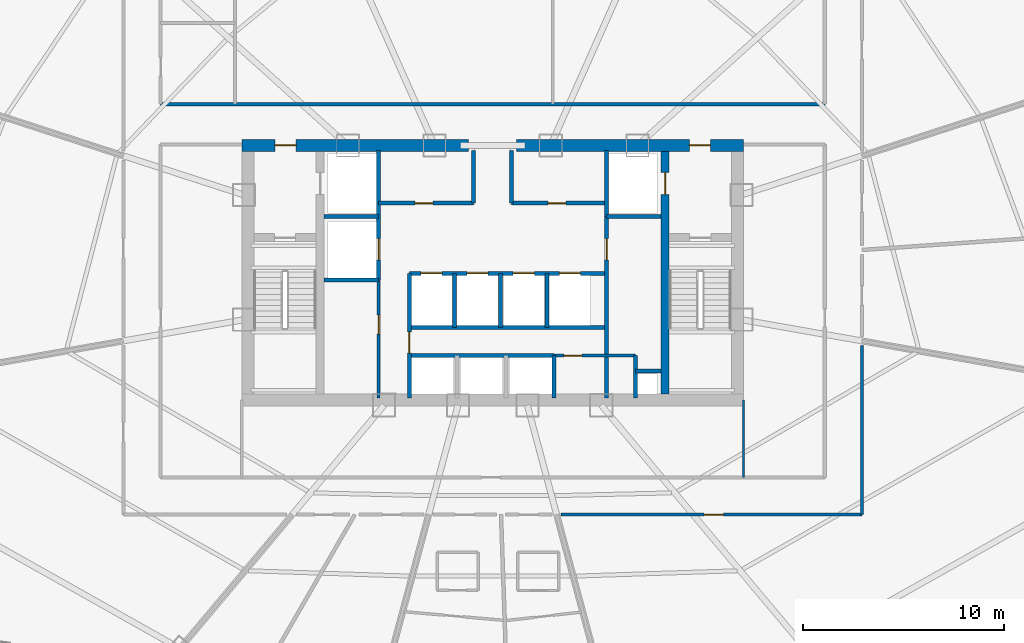
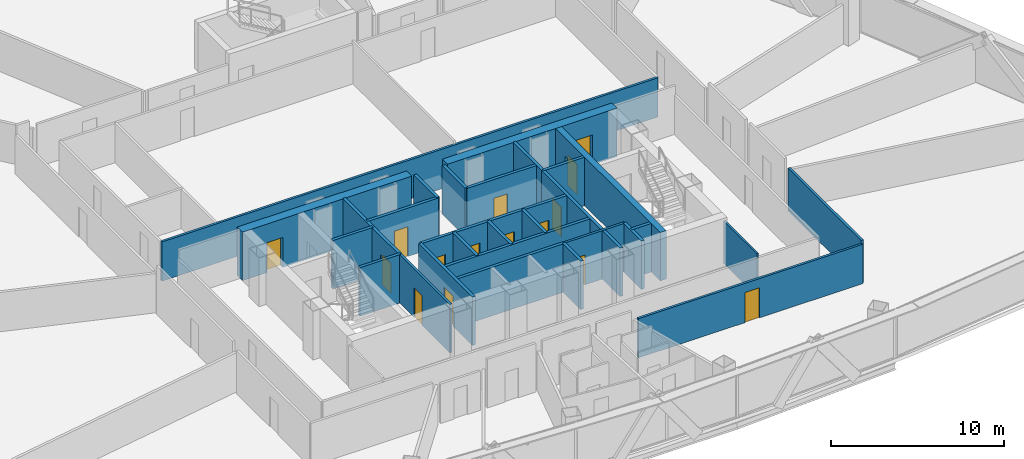
# One storey, part 33 of 39: 29 walls, 15 doors, 15 openings.
"""IFC4 building model written with IfcOpenShell, lengths in metres."""

import ifcopenshell
import ifcopenshell.guid

model = None  # the IFC model being written
_history = None  # IfcOwnerHistory: only IFC2X3 demands one
_inside = {}  # id of a spatial element -> (the spatial element, [elements in it])
_under = {}  # id of a project, library or spatial element -> (it, [spatial elements below it])
_declared = {}  # id of a project -> (the project, [libraries it declares])
_typed = {}  # id of a type object -> (the type object, [elements of that type])
_made_of = {}  # id of a material, layer set ... -> (it, [elements and type objects made of it])


def new_model(schema):
    """Start an empty IFC model of exactly this schema.

    Asked for "IFC4X3", IfcOpenShell would pick the latest addendum, in which some entities
    have other attributes; the version numbers below select the first issue.
    IFC2X3 requires an IfcOwnerHistory on every rooted entity: one is made here for all.
    """
    global model, _history
    if schema == "IFC4X3":
        model = ifcopenshell.file(schema_version=(4, 3, 0, 0))
    else:
        model = ifcopenshell.file(schema=schema)
    _inside.clear()
    _under.clear()
    _declared.clear()
    _typed.clear()
    _made_of.clear()
    _history = None
    if model.schema == "IFC2X3":
        org = make("IfcOrganization", Name="unknown")
        user = make(
            "IfcPersonAndOrganization",
            ThePerson=make("IfcPerson", FamilyName="unknown"),
            TheOrganization=org,
        )
        app = make(
            "IfcApplication",
            ApplicationDeveloper=org,
            Version="unknown",
            ApplicationFullName="unknown",
            ApplicationIdentifier="unknown",
        )
        _history = make(
            "IfcOwnerHistory",
            OwningUser=user,
            OwningApplication=app,
            ChangeAction="ADDED",
            CreationDate=0,
        )
    return model


def make(cls, **values):
    """One entity of the class cls with the attributes given. An attribute that is None is left unset."""
    return model.create_entity(
        cls, **{name: value for name, value in values.items() if value is not None}
    )


def rooted(cls, **values):
    """An entity with a GlobalId (a new one), such as an element, a storey or a relation."""
    return make(cls, GlobalId=ifcopenshell.guid.new(), OwnerHistory=_history, **values)


def si_unit(unit_type, name, prefix=None):
    """IfcSIUnit, for example si_unit("LENGTHUNIT", "METRE", prefix="MILLI")."""
    return make("IfcSIUnit", UnitType=unit_type, Prefix=prefix, Name=name)


def assignment(units):
    """IfcUnitAssignment: the units of a project."""
    return None if units is None else make("IfcUnitAssignment", Units=units)


def point(xyz):
    """IfcCartesianPoint."""
    return None if xyz is None else make("IfcCartesianPoint", Coordinates=xyz)


def direction(xyz):
    """IfcDirection."""
    return None if xyz is None else make("IfcDirection", DirectionRatios=xyz)


def frame(location, z_axis=None, x_axis=None):
    """IfcAxis2Placement3D, a coordinate frame: its origin and axes. An axis left out is left unset."""
    return make(
        "IfcAxis2Placement3D",
        Location=point(location),
        Axis=direction(z_axis),
        RefDirection=direction(x_axis),
    )


def frame_2d(location, x_axis=None):
    """IfcAxis2Placement2D, a coordinate frame in the plane: its origin and x axis."""
    return make(
        "IfcAxis2Placement2D", Location=point(location), RefDirection=direction(x_axis)
    )


def origin():
    """The frame at (0, 0, 0) with its axes left unset."""
    return frame((0.0, 0.0, 0.0))


def origin_with_axes():
    """The frame at (0, 0, 0) with the z axis (0, 0, 1) and the x axis (1, 0, 0) written out."""
    return frame((0.0, 0.0, 0.0), z_axis=(0.0, 0.0, 1.0), x_axis=(1.0, 0.0, 0.0))


def place(relative_to, where):
    """IfcLocalPlacement: puts the frame where relative to a parent placement (None: the world)."""
    return make(
        "IfcLocalPlacement", PlacementRelTo=relative_to, RelativePlacement=where
    )


def context(
    kind, dimensions, precision=None, world=None, true_north=None, identifier=None
):
    """IfcGeometricRepresentationContext, for example the 3D "Model" context."""
    return make(
        "IfcGeometricRepresentationContext",
        ContextIdentifier=identifier,
        ContextType=kind,
        CoordinateSpaceDimension=dimensions,
        Precision=precision,
        WorldCoordinateSystem=world,
        TrueNorth=true_north,
    )


def subcontext(parent, identifier, kind, view, scale=None):
    """IfcGeometricRepresentationSubContext, for example "Body" below "Model"."""
    return make(
        "IfcGeometricRepresentationSubContext",
        ContextIdentifier=identifier,
        ContextType=kind,
        ParentContext=parent,
        TargetScale=scale,
        TargetView=view,
    )


def project(units=None, contexts=None):
    """IfcProject with its units and contexts."""
    return rooted(
        "IfcProject",
        Name="project",
        RepresentationContexts=contexts,
        UnitsInContext=assignment(units),
    )


def spatial(cls, under=None, at=None, **own):
    """A site, building, storey or space (cls), placed at a placement, below another one or the project."""
    s = rooted(cls, ObjectPlacement=at, **own)
    if under is not None:
        _under.setdefault(under.id(), (under, []))[1].append(s)
    return s


def profile(cls, at=None, kind="AREA", **sizes):
    """A parametric profile (cls). Its sizes go by their IFC names, for example OverallWidth=200.0."""
    return make(cls, ProfileType=kind, Position=at, **sizes)


def rectangle(**sizes):
    """IfcRectangleProfileDef."""
    return profile("IfcRectangleProfileDef", **sizes)


def extrude(swept, where, along, depth):
    """IfcExtrudedAreaSolid: the profile swept, set in the frame where, extruded along a direction by depth."""
    return make(
        "IfcExtrudedAreaSolid",
        SweptArea=swept,
        Position=where,
        ExtrudedDirection=direction(along),
        Depth=depth,
    )


def shape(context_of_items, identifier, shape_type, items):
    """IfcShapeRepresentation: the items that make up one representation, for example the "Body"."""
    return make(
        "IfcShapeRepresentation",
        ContextOfItems=context_of_items,
        RepresentationIdentifier=identifier,
        RepresentationType=shape_type,
        Items=items,
    )


def source(mapping_origin, context_of_items, identifier, shape_type, items):
    """IfcRepresentationMap: a shape defined once, which mapped items show again and again."""
    return make(
        "IfcRepresentationMap",
        MappingOrigin=mapping_origin,
        MappedRepresentation=shape(context_of_items, identifier, shape_type, items),
    )


def transform(
    local_origin,
    x_axis=None,
    y_axis=None,
    z_axis=None,
    scale=None,
    scale2=None,
    scale3=None,
    uniform=True,
):
    """IfcCartesianTransformationOperator3D, or its non-uniform kind. x_axis, y_axis, z_axis: its Axis1, 2, 3."""
    if uniform:
        return make(
            "IfcCartesianTransformationOperator3D",
            Axis1=direction(x_axis),
            Axis2=direction(y_axis),
            LocalOrigin=point(local_origin),
            Scale=scale,
            Axis3=direction(z_axis),
        )
    return make(
        "IfcCartesianTransformationOperator3DnonUniform",
        Axis1=direction(x_axis),
        Axis2=direction(y_axis),
        LocalOrigin=point(local_origin),
        Scale=scale,
        Axis3=direction(z_axis),
        Scale2=scale2,
        Scale3=scale3,
    )


def mapped(mapping_source, mapping_target):
    """IfcMappedItem: shows the shape of a source again, moved by a transform."""
    return make(
        "IfcMappedItem", MappingSource=mapping_source, MappingTarget=mapping_target
    )


def material(Name=None, Category=None):
    """IfcMaterial."""
    return make("IfcMaterial", Name=Name, Category=Category)


def layer(
    of_material, thickness, ventilated=None, Name=None, Category=None, Priority=None
):
    """IfcMaterialLayer: one layer of a wall or slab, of a material (None: an air gap)."""
    return make(
        "IfcMaterialLayer",
        Material=of_material,
        LayerThickness=thickness,
        IsVentilated=ventilated,
        Name=Name,
        Category=Category,
        Priority=Priority,
    )


def layer_set(layers, Name=None):
    """IfcMaterialLayerSet."""
    return make("IfcMaterialLayerSet", MaterialLayers=layers, LayerSetName=Name)


def made_of(thing, what):
    """Note that an element or type object is made of a material, layer set ...; save() writes the relation."""
    if what is not None:
        _made_of.setdefault(what.id(), (what, []))[1].append(thing)
    return thing


def type_object(cls, material=None, **own):
    """A type object (cls), such as IfcWallType, which elements share."""
    return made_of(rooted(cls, **own), material)


def element(
    cls,
    number,
    at=None,
    inside=None,
    cuts=None,
    type_object=None,
    material=None,
    context=None,
    identifier="Body",
    shape_type=None,
    held_by="IfcProductDefinitionShape",
    body=None,
    shapes=None,
    **own,
):
    """One element of the class cls, such as IfcWall. Its Tag is "e" and its number.

    at: its placement. inside: the storey or other place that contains it. cuts: it is an
    opening in that element (IfcRelVoidsElement). A single representation is given by context,
    identifier, shape_type and body (its items); several are given by shapes. held_by: the class
    of the entity that holds the representations. save() writes the other relations.
    """
    e = rooted(cls, Tag="e%d" % number, ObjectPlacement=at, **own)
    if body is not None:
        shapes = [shape(context, identifier, shape_type, body)]
    if shapes is not None:
        e.Representation = make(held_by, Representations=shapes)
    if inside is not None:
        _inside.setdefault(inside.id(), (inside, []))[1].append(e)
    if cuts is not None:
        rooted(
            "IfcRelVoidsElement", RelatingBuildingElement=cuts, RelatedOpeningElement=e
        )
    if type_object is not None:
        _typed.setdefault(type_object.id(), (type_object, []))[1].append(e)
    return made_of(e, material)


def fill(opening, filler):
    """IfcRelFillsElement: the door or window that sits in an opening."""
    return rooted(
        "IfcRelFillsElement",
        RelatingOpeningElement=opening,
        RelatedBuildingElement=filler,
    )


def aggregate(whole, parts):
    """IfcRelAggregates: a whole, such as a stair, and the parts it consists of."""
    return rooted("IfcRelAggregates", RelatingObject=whole, RelatedObjects=parts)


def save(model, path):
    """Write the relations noted so far, then the file.

    IfcRelAggregates (storeys below a building ...), IfcRelContainedInSpatialStructure (elements
    in a storey), IfcRelDefinesByType, IfcRelAssociatesMaterial and IfcRelDeclares: one each for
    every whole, place, type object, material and project.
    """
    for whole, parts in _under.values():
        aggregate(whole, parts)
    for where, things in _inside.values():
        rooted(
            "IfcRelContainedInSpatialStructure",
            RelatedElements=things,
            RelatingStructure=where,
        )
    for kind, things in _typed.values():
        rooted("IfcRelDefinesByType", RelatedObjects=things, RelatingType=kind)
    for what, things in _made_of.values():
        rooted("IfcRelAssociatesMaterial", RelatedObjects=things, RelatingMaterial=what)
    for by, libraries in _declared.values():
        rooted("IfcRelDeclares", RelatingContext=by, RelatedDefinitions=libraries)
    model.write(path)


model = new_model("IFC4")

# Units and contexts
model_context = context("Model", 3, precision=1e-05, world=origin(), true_north=direction((0.0, 1.0)))
body_context = subcontext(model_context, "Body", "Model", "MODEL_VIEW")
ifc_project = project(units=[si_unit("LENGTHUNIT", "METRE"), si_unit("AREAUNIT", "SQUARE_METRE"), si_unit("VOLUMEUNIT", "CUBIC_METRE"), si_unit("PLANEANGLEUNIT", "RADIAN"), si_unit("MASSUNIT", "GRAM", prefix="KILO"), si_unit("THERMODYNAMICTEMPERATUREUNIT", "KELVIN"), si_unit("POWERUNIT", "WATT")], contexts=[model_context])

# Site, building, storey
site_placement = place(None, origin())
site = spatial("IfcSite", under=ifc_project, at=site_placement, CompositionType="ELEMENT")
building_placement = place(site_placement, origin())
building = spatial("IfcBuilding", under=site, at=building_placement, Name="Yunzhuo Pagoda Commons", CompositionType="ELEMENT")
storey_placement = place(building_placement, frame((0.0, 0.0, 162.949951171875)))
storey = spatial("IfcBuildingStorey", under=building, at=storey_placement, Name="L41", CompositionType="ELEMENT", Elevation=162.949951171875)

# Wall, opening, door
ifc_material_1 = material(Name="Concrete C60", Category="concrete")
ifc_layer_1 = layer(ifc_material_1, 0.60009765625)
ifc_layer_set_1 = layer_set([ifc_layer_1], Name="Concrete C60")
wall_type_1 = type_object("IfcWallType", Name="W-C02 Mid Core Shear Wall 600", PredefinedType="SHEAR", material=ifc_layer_set_1)
wall_1_placement = place(storey_placement, frame((35.5, 40.199951171875, 0.0), z_axis=(0.0, 0.0, 1.0), x_axis=(1.0, 0.0, 0.0)))
wall_1 = element("IfcWall", 1, at=wall_1_placement, inside=storey, type_object=wall_type_1, Name="L41 core shear wall NW", PredefinedType="SHEAR", context=body_context, shape_type="SweptSolid", body=[
    extrude(rectangle(XDim=11.300048828125, YDim=0.60009765625, at=frame_2d((5.64990234375, 0.0))), origin(), (0.0, 0.0, 1.0), 3.420166015625),
])
opening_1_placement = place(wall_1_placement, frame((1.64990234375, 0.0, 0.0)))
opening_1 = element("IfcOpeningElement", 2, at=opening_1_placement, cuts=wall_1, Name="Opening D-02", PredefinedType="OPENING", context=body_context, shape_type="SweptSolid", body=[
    extrude(rectangle(XDim=1.050048828125, YDim=2.10009765625, at=frame_2d((0.52490234375, 1.050048828125))), frame((0.0, 0.31005859375, 0.0), z_axis=(0.0, -1.0, 0.0), x_axis=(1.0, 0.0, 0.0)), (0.0, 0.0, 1.0), 0.6201171875),
])
ifc_material_2 = material(Name="Galvanized fire-resisting metal leaf")
door_type_1 = type_object("IfcDoorType", Name="D-02 Firefighting Lobby & Refuge Fire Door 1050x2100", OperationType="NOTDEFINED", PredefinedType="DOOR", material=ifc_material_2)
shared_shape_1 = source(origin(), body_context, "Body", "SweptSolid", [
    extrude(rectangle(XDim=1.050048828125, YDim=2.10009765625, at=frame_2d((0.52490234375, 1.050048828125))), frame((0.0, 0.02490234375, 0.0), z_axis=(0.0, -1.0, 0.0), x_axis=(1.0, 0.0, 0.0)), (0.0, 0.0, 1.0), 0.050048828125),
])
door_1_placement = place(opening_1_placement, frame((1.050048828125, 0.0, 0.0), z_axis=(0.0, 0.0, 1.0), x_axis=(-1.0, 0.0, 0.0)))
door_1 = element("IfcDoor", 3, at=door_1_placement, inside=storey, type_object=door_type_1, Name="L41 Firefighting Lobby 1 fire door", OperationType="SINGLE_SWING_LEFT", OverallHeight=2.10009765625, OverallWidth=1.050048828125, PredefinedType="DOOR", context=body_context, shape_type="MappedRepresentation", body=[
    mapped(shared_shape_1, transform((0.0, 0.0, 0.0), scale=1.0)),
])
fill(opening_1, door_1)

wall_2_placement = place(storey_placement, frame((49.199951171875, 40.199951171875, 0.0), z_axis=(0.0, 0.0, 1.0), x_axis=(1.0, 0.0, 0.0)))
wall_2 = element("IfcWall", 4, at=wall_2_placement, inside=storey, type_object=wall_type_1, Name="L41 core shear wall NE", PredefinedType="SHEAR", context=body_context, shape_type="SweptSolid", body=[
    extrude(rectangle(XDim=11.300048828125, YDim=0.60009765625, at=frame_2d((5.64990234375, 0.0))), origin(), (0.0, 0.0, 1.0), 3.420166015625),
])
opening_2_placement = place(wall_2_placement, frame((8.60009765625, 0.0, 0.0)))
opening_2 = element("IfcOpeningElement", 5, at=opening_2_placement, cuts=wall_2, Name="Opening D-02", PredefinedType="OPENING", context=body_context, shape_type="SweptSolid", body=[
    extrude(rectangle(XDim=1.050048828125, YDim=2.10009765625, at=frame_2d((0.52490234375, 1.050048828125))), frame((0.0, 0.31005859375, 0.0), z_axis=(0.0, -1.0, 0.0), x_axis=(1.0, 0.0, 0.0)), (0.0, 0.0, 1.0), 0.6201171875),
])
door_2_placement = place(opening_2_placement, frame((1.050048828125, 0.0, 0.0), z_axis=(0.0, 0.0, 1.0), x_axis=(-1.0, 0.0, 0.0)))
door_2 = element("IfcDoor", 6, at=door_2_placement, inside=storey, type_object=door_type_1, Name="L41 Firefighting Lobby 2 fire door", OperationType="SINGLE_SWING_RIGHT", OverallHeight=2.10009765625, OverallWidth=1.050048828125, PredefinedType="DOOR", context=body_context, shape_type="MappedRepresentation", body=[
    mapped(shared_shape_1, transform((0.0, 0.0, 0.0), scale=1.0)),
])
fill(opening_2, door_2)

ifc_material_3 = material(Name="Gypsum plasterboard on acoustic stud")
ifc_layer_2 = layer(ifc_material_3, 0.155029296875)
ifc_layer_set_2 = layer_set([ifc_layer_2], Name="Gypsum plasterboard on acoustic stud")
wall_type_2 = type_object("IfcWallType", Name="W-COR2 Mid-Zone Rated Corridor Wall 155", PredefinedType="PARTITIONING", material=ifc_layer_set_2)
wall_3_placement = place(storey_placement, frame((42.320068359375, 27.60009765625, 0.0), z_axis=(0.0, 0.0, 1.0), x_axis=(0.0, 1.0, 0.0)))
wall_3 = element("IfcWall", 7, at=wall_3_placement, inside=storey, type_object=wall_type_2, Name="L41 interior wall IW-L41-CSWE", PredefinedType="PARTITIONING", context=body_context, shape_type="SweptSolid", body=[
    extrude(rectangle(XDim=5.89990234375, YDim=0.155029296875, at=frame_2d((2.949951171875, 0.0))), origin(), (0.0, 0.0, 1.0), 3.420166015625),
])
opening_3_placement = place(wall_3_placement, frame((3.199951171875, 0.0, 0.0)))
opening_3 = element("IfcOpeningElement", 8, at=opening_3_placement, cuts=wall_3, Name="Opening D-11", PredefinedType="OPENING", context=body_context, shape_type="SweptSolid", body=[
    extrude(rectangle(XDim=0.93994140625, YDim=2.10009765625, at=frame_2d((0.469970703125, 1.050048828125))), frame((0.0, 0.08740234375, 0.0), z_axis=(0.0, -1.0, 0.0), x_axis=(1.0, 0.0, 0.0)), (0.0, 0.0, 1.0), 0.175048828125),
])
door_type_2 = type_object("IfcDoorType", Name="D-11 Accessible Washroom Fire Door 940x2100", OperationType="NOTDEFINED", PredefinedType="DOOR", material=ifc_material_2)
shared_shape_2 = source(origin(), body_context, "Body", "SweptSolid", [
    extrude(rectangle(XDim=0.93994140625, YDim=2.10009765625, at=frame_2d((0.469970703125, 1.050048828125))), frame((0.0, 0.02490234375, 0.0), z_axis=(0.0, -1.0, 0.0), x_axis=(1.0, 0.0, 0.0)), (0.0, 0.0, 1.0), 0.050048828125),
])
door_3_placement = place(opening_3_placement, origin_with_axes())
door_3 = element("IfcDoor", 9, at=door_3_placement, inside=storey, type_object=door_type_2, Name="L41 core WC door", OperationType="SINGLE_SWING_LEFT", OverallHeight=2.10009765625, OverallWidth=0.93994140625, PredefinedType="DOOR", context=body_context, shape_type="MappedRepresentation", body=[
    mapped(shared_shape_2, transform((0.0, 0.0, 0.0), scale=1.0)),
])
fill(opening_3, door_3)

wall_4_placement = place(storey_placement, frame((51.050048828125, 29.719970703125, 0.0), z_axis=(0.0, 0.0, 1.0), x_axis=(1.0, 0.0, 0.0)))
wall_4 = element("IfcWall", 10, at=wall_4_placement, inside=storey, type_object=wall_type_2, Name="L41 interior wall IW-L41-CSES", PredefinedType="PARTITIONING", context=body_context, shape_type="SweptSolid", body=[
    extrude(rectangle(XDim=4.070068359375, YDim=0.155029296875, at=frame_2d((2.03515625, 0.0))), origin(), (0.0, 0.0, 1.0), 3.420166015625),
])
opening_4_placement = place(wall_4_placement, frame((0.5, 0.0, 0.0)))
opening_4 = element("IfcOpeningElement", 11, at=opening_4_placement, cuts=wall_4, Name="Opening D-03", PredefinedType="OPENING", context=body_context, shape_type="SweptSolid", body=[
    extrude(rectangle(XDim=0.89990234375, YDim=2.10009765625, at=frame_2d((0.449951171875, 1.050048828125))), frame((0.0, 0.08740234375, 0.0), z_axis=(0.0, -1.0, 0.0), x_axis=(1.0, 0.0, 0.0)), (0.0, 0.0, 1.0), 0.175048828125),
])
door_type_3 = type_object("IfcDoorType", Name="D-03 Core Service Fire Door 900x2100", OperationType="NOTDEFINED", PredefinedType="DOOR", material=ifc_material_2)
shared_shape_3 = source(origin(), body_context, "Body", "SweptSolid", [
    extrude(rectangle(XDim=0.89990234375, YDim=2.10009765625, at=frame_2d((0.449951171875, 1.050048828125))), frame((0.0, 0.02490234375, 0.0), z_axis=(0.0, -1.0, 0.0), x_axis=(1.0, 0.0, 0.0)), (0.0, 0.0, 1.0), 0.050048828125),
])
door_4_placement = place(opening_4_placement, origin_with_axes())
door_4 = element("IfcDoor", 12, at=door_4_placement, inside=storey, type_object=door_type_3, Name="L41 cleaner store door", OperationType="SINGLE_SWING_LEFT", OverallHeight=2.10009765625, OverallWidth=0.89990234375, PredefinedType="DOOR", context=body_context, shape_type="MappedRepresentation", body=[
    mapped(shared_shape_3, transform((0.0, 0.0, 0.0), scale=1.0)),
])
fill(opening_4, door_4)

# Walls
wall_5_placement = place(storey_placement, frame((31.449951171875, 42.25, 0.0), z_axis=(0.0, 0.0, 1.0), x_axis=(1.0, 0.0, 0.0)))
element("IfcWall", 13, at=wall_5_placement, inside=storey, type_object=wall_type_2, Name="L41 interior wall IW-L41-MCNS", PredefinedType="PARTITIONING", context=body_context, shape_type="SweptSolid", body=[
    extrude(rectangle(XDim=33.10009765625, YDim=0.155029296875, at=frame_2d((16.550048828125, 0.0))), origin(), (0.0, 0.0, 1.0), 2.77001953125),
])
wall_6_placement = place(storey_placement, frame((66.39990234375, 30.232177734375, 0.0), z_axis=(0.0, 0.0, 1.0), x_axis=(0.0, -1.0, 0.0)))
element("IfcWall", 14, at=wall_6_placement, inside=storey, type_object=wall_type_2, Name="L41 interior wall IW-L41-CWL14", PredefinedType="PARTITIONING", context=body_context, shape_type="SweptSolid", body=[
    extrude(rectangle(XDim=8.43212890625, YDim=0.155029296875, at=frame_2d((4.216064453125, 0.0))), origin(), (0.0, 0.0, 1.0), 3.02001953125),
])

# Wall, opening, door
wall_7_placement = place(storey_placement, frame((66.39990234375, 21.800048828125, 0.0), z_axis=(0.0, 0.0, 1.0), x_axis=(-1.0, 0.0, 0.0)))
wall_7 = element("IfcWall", 15, at=wall_7_placement, inside=storey, type_object=wall_type_2, Name="L41 interior wall IW-L41-CWL15", PredefinedType="PARTITIONING", context=body_context, shape_type="SweptSolid", body=[
    extrude(rectangle(XDim=14.9833984375, YDim=0.155029296875, at=frame_2d((7.49169921875, 0.0))), origin(), (0.0, 0.0, 1.0), 2.77001953125),
])
opening_5_placement = place(wall_7_placement, frame((6.900634765625, 0.0, 0.0)))
opening_5 = element("IfcOpeningElement", 16, at=opening_5_placement, cuts=wall_7, Name="Opening D-07", PredefinedType="OPENING", context=body_context, shape_type="SweptSolid", body=[
    extrude(rectangle(XDim=0.9599609375, YDim=2.1201171875, at=frame_2d((0.47998046875, 1.06005859375))), frame((0.0, 0.08740234375, 0.0), z_axis=(0.0, -1.0, 0.0), x_axis=(1.0, 0.0, 0.0)), (0.0, 0.0, 1.0), 0.175048828125),
])
door_type_4 = type_object("IfcDoorType", Name="D-07 Mid-Zone Suite Entrance Fire Door 960x2120", OperationType="NOTDEFINED", PredefinedType="DOOR", material=ifc_material_2)
shared_shape_4 = source(origin(), body_context, "Body", "SweptSolid", [
    extrude(rectangle(XDim=0.9599609375, YDim=2.1201171875, at=frame_2d((0.47998046875, 1.06005859375))), frame((0.0, 0.02490234375, 0.0), z_axis=(0.0, -1.0, 0.0), x_axis=(1.0, 0.0, 0.0)), (0.0, 0.0, 1.0), 0.050048828125),
])
door_5_placement = place(opening_5_placement, origin_with_axes())
door_5 = element("IfcDoor", 17, at=door_5_placement, inside=storey, type_object=door_type_4, Name="L41 Resident Co-Living Commons Hall door", OperationType="SINGLE_SWING_LEFT", OverallHeight=2.1201171875, OverallWidth=0.9599609375, PredefinedType="DOOR", context=body_context, shape_type="MappedRepresentation", body=[
    mapped(shared_shape_4, transform((0.0, 0.0, 0.0), scale=1.0)),
])
fill(opening_5, door_5)

# Wall
ifc_layer_3 = layer(ifc_material_3, 0.1201171875)
ifc_layer_set_3 = layer_set([ifc_layer_3], Name="Gypsum plasterboard on acoustic stud")
wall_type_3 = type_object("IfcWallType", Name="W-PRT1 Suite & Bathroom Partition 120", PredefinedType="PARTITIONING", material=ifc_layer_set_3)
wall_8_placement = place(storey_placement, frame((60.5, 23.64990234375, 0.0), z_axis=(0.0, 0.0, 1.0), x_axis=(0.0, 1.0, 0.0)))
element("IfcWall", 18, at=wall_8_placement, inside=storey, type_object=wall_type_3, Name="L41 interior wall IW-L41-SFLD2", PredefinedType="PARTITIONING", context=body_context, shape_type="SweptSolid", body=[
    extrude(rectangle(XDim=3.85009765625, YDim=0.1201171875, at=frame_2d((1.925048828125, 0.0))), origin(), (0.0, 0.0, 1.0), 3.02001953125),
])

# Wall, opening, door
ifc_layer_4 = layer(ifc_material_1, 0.39990234375)
ifc_layer_set_4 = layer_set([ifc_layer_4], Name="Concrete C60")
wall_type_4 = type_object("IfcWallType", Name="W-S01 Internal Core Shear Web 400", PredefinedType="SHEAR", material=ifc_layer_set_4)
wall_9_placement = place(storey_placement, frame((56.60009765625, 27.800048828125, 0.0), z_axis=(0.0, 0.0, 1.0), x_axis=(0.0, 1.0, 0.0)))
wall_9 = element("IfcWall", 19, at=wall_9_placement, inside=storey, type_object=wall_type_4, Name="L41 core shear wall WEBE", PredefinedType="SHEAR", context=body_context, shape_type="SweptSolid", body=[
    extrude(rectangle(XDim=12.099853515625, YDim=0.39990234375, at=frame_2d((6.0498046875, 0.0))), origin(), (0.0, 0.0, 1.0), 3.420166015625),
])
opening_6_placement = place(wall_9_placement, frame((9.949951171875, 0.0, 0.0)))
opening_6 = element("IfcOpeningElement", 20, at=opening_6_placement, cuts=wall_9, Name="Opening LD-01", PredefinedType="OPENING", context=body_context, shape_type="SweptSolid", body=[
    extrude(rectangle(XDim=1.10009765625, YDim=2.10009765625, at=frame_2d((0.550048828125, 1.050048828125))), frame((0.0, 0.2099609375, 0.0), z_axis=(0.0, -1.0, 0.0), x_axis=(1.0, 0.0, 0.0)), (0.0, 0.0, 1.0), 0.419921875),
])
door_type_5 = type_object("IfcDoorType", Name="LD-01 Firefighting Lift Landing Door 1100x2100", OperationType="DOUBLE_DOOR_SLIDING", PredefinedType="DOOR", material=ifc_material_2)
shared_shape_5 = source(origin(), body_context, "Body", "SweptSolid", [
    extrude(rectangle(XDim=1.10009765625, YDim=2.10009765625, at=frame_2d((0.550048828125, 1.050048828125))), frame((0.0, 0.02490234375, 0.0), z_axis=(0.0, -1.0, 0.0), x_axis=(1.0, 0.0, 0.0)), (0.0, 0.0, 1.0), 0.050048828125),
])
door_6_placement = place(opening_6_placement, origin_with_axes())
door_6 = element("IfcDoor", 21, at=door_6_placement, inside=storey, type_object=door_type_5, Name="L41 Firefighting lift FL-2 landing door", OperationType="DOUBLE_DOOR_SLIDING", OverallHeight=2.10009765625, OverallWidth=1.10009765625, PredefinedType="DOOR", context=body_context, shape_type="MappedRepresentation", body=[
    mapped(shared_shape_5, transform((0.0, 0.0, 0.0), scale=1.0)),
])
fill(opening_6, door_6)

ifc_material_4 = material(Name="Concrete C40", Category="concrete")
ifc_layer_5 = layer(ifc_material_4, 0.199951171875)
ifc_layer_set_5 = layer_set([ifc_layer_5], Name="Concrete C40")
wall_type_5 = type_object("IfcWallType", Name="W-SHF Shaft & Stair Enclosure Wall 200", PredefinedType="SOLIDWALL", material=ifc_layer_set_5)
wall_10_placement = place(storey_placement, frame((42.320068359375, 33.5, 0.0), z_axis=(0.0, 0.0, 1.0), x_axis=(0.0, 1.0, 0.0)))
wall_10 = element("IfcWall", 22, at=wall_10_placement, inside=storey, type_object=wall_type_5, Name="L41 interior wall IW-L41-FL1E", PredefinedType="SOLIDWALL", context=body_context, shape_type="SweptSolid", body=[
    extrude(rectangle(XDim=6.449951171875, YDim=0.199951171875, at=frame_2d((3.22509765625, 0.0))), origin(), (0.0, 0.0, 1.0), 3.420166015625),
])
opening_7_placement = place(wall_10_placement, frame((1.0, 0.0, 0.0)))
opening_7 = element("IfcOpeningElement", 23, at=opening_7_placement, cuts=wall_10, Name="Opening LD-02", PredefinedType="OPENING", context=body_context, shape_type="SweptSolid", body=[
    extrude(rectangle(XDim=1.050048828125, YDim=2.10009765625, at=frame_2d((0.52490234375, 1.050048828125))), frame((0.0, 0.10986328125, 0.0), z_axis=(0.0, -1.0, 0.0), x_axis=(1.0, 0.0, 0.0)), (0.0, 0.0, 1.0), 0.219970703125),
])
door_type_6 = type_object("IfcDoorType", Name="LD-02 Passenger Lift Landing Door 1050x2100", OperationType="DOUBLE_DOOR_SLIDING", PredefinedType="DOOR", material=ifc_material_2)
door_7_placement = place(opening_7_placement, origin_with_axes())
door_7 = element("IfcDoor", 24, at=door_7_placement, inside=storey, type_object=door_type_6, Name="L41 Service lift SL-1 landing door", OperationType="DOUBLE_DOOR_SLIDING", OverallHeight=2.10009765625, OverallWidth=1.050048828125, PredefinedType="DOOR", context=body_context, shape_type="MappedRepresentation", body=[
    mapped(shared_shape_1, transform((0.0, 0.0, 0.0), scale=1.0)),
])
fill(opening_7, door_7)

# Walls
for number, where, z_axis, x_axis, name in (
    (25, (39.60009765625, 36.64990234375, 0.0), (0.0, 0.0, 1.0), (1.0, 0.0, 0.0), "L41 interior wall IW-L41-FL1S"),
    (26, (39.60009765625, 33.5, 0.0), (0.0, 0.0, 1.0), (1.0, 0.0, 0.0), "L41 interior wall IW-L41-SL1S"),
):
    element("IfcWall", number, at=place(storey_placement, frame(where, z_axis=z_axis, x_axis=x_axis)), inside=storey, type_object=wall_type_5, Name=name, PredefinedType="SOLIDWALL", context=body_context, shape_type="SweptSolid", body=[
        extrude(rectangle(XDim=2.719970703125, YDim=0.199951171875, at=frame_2d((1.35986328125, 0.0))), origin(), (0.0, 0.0, 1.0), 3.420166015625),
    ])
wall_11_placement = place(storey_placement, frame((53.679931640625, 36.64990234375, 0.0), z_axis=(0.0, 0.0, 1.0), x_axis=(0.0, 1.0, 0.0)))
element("IfcWall", 27, at=wall_11_placement, inside=storey, type_object=wall_type_5, Name="L41 interior wall IW-L41-FL2W", PredefinedType="SOLIDWALL", context=body_context, shape_type="SweptSolid", body=[
    extrude(rectangle(XDim=3.300048828125, YDim=0.199951171875, at=frame_2d((1.64990234375, 0.0))), origin(), (0.0, 0.0, 1.0), 3.420166015625),
])
wall_12_placement = place(storey_placement, frame((53.679931640625, 36.64990234375, 0.0), z_axis=(0.0, 0.0, 1.0), x_axis=(1.0, 0.0, 0.0)))
element("IfcWall", 28, at=wall_12_placement, inside=storey, type_object=wall_type_5, Name="L41 interior wall IW-L41-FL2S", PredefinedType="SOLIDWALL", context=body_context, shape_type="SweptSolid", body=[
    extrude(rectangle(XDim=2.719970703125, YDim=0.199951171875, at=frame_2d((1.35986328125, 0.0))), origin(), (0.0, 0.0, 1.0), 3.420166015625),
])

# Wall, opening, door
wall_13_placement = place(storey_placement, frame((42.320068359375, 37.320068359375, 0.0), z_axis=(0.0, 0.0, 1.0), x_axis=(1.0, 0.0, 0.0)))
wall_13 = element("IfcWall", 29, at=wall_13_placement, inside=storey, type_object=wall_type_5, Name="L41 interior wall IW-L41-LBNW", PredefinedType="SOLIDWALL", context=body_context, shape_type="SweptSolid", body=[
    extrude(rectangle(XDim=4.72998046875, YDim=0.199951171875, at=frame_2d((2.364990234375, 0.0))), origin(), (0.0, 0.0, 1.0), 3.420166015625),
])
opening_8_placement = place(wall_13_placement, frame((1.800048828125, 0.0, 0.0)))
opening_8 = element("IfcOpeningElement", 30, at=opening_8_placement, cuts=wall_13, Name="Opening D-03", PredefinedType="OPENING", context=body_context, shape_type="SweptSolid", body=[
    extrude(rectangle(XDim=0.89990234375, YDim=2.10009765625, at=frame_2d((0.449951171875, 1.050048828125))), frame((0.0, 0.10986328125, 0.0), z_axis=(0.0, -1.0, 0.0), x_axis=(1.0, 0.0, 0.0)), (0.0, 0.0, 1.0), 0.219970703125),
])
door_8_placement = place(opening_8_placement, frame((0.89990234375, 0.0, 0.0), z_axis=(0.0, 0.0, 1.0), x_axis=(-1.0, 0.0, 0.0)))
door_8 = element("IfcDoor", 31, at=door_8_placement, inside=storey, type_object=door_type_3, Name="L41 core west store door", OperationType="SINGLE_SWING_LEFT", OverallHeight=2.10009765625, OverallWidth=0.89990234375, PredefinedType="DOOR", context=body_context, shape_type="MappedRepresentation", body=[
    mapped(shared_shape_3, transform((0.0, 0.0, 0.0), scale=1.0)),
])
fill(opening_8, door_8)

wall_14_placement = place(storey_placement, frame((48.949951171875, 37.320068359375, 0.0), z_axis=(0.0, 0.0, 1.0), x_axis=(1.0, 0.0, 0.0)))
wall_14 = element("IfcWall", 32, at=wall_14_placement, inside=storey, type_object=wall_type_5, Name="L41 interior wall IW-L41-LBNE", PredefinedType="SOLIDWALL", context=body_context, shape_type="SweptSolid", body=[
    extrude(rectangle(XDim=4.72998046875, YDim=0.199951171875, at=frame_2d((2.364990234375, 0.0))), origin(), (0.0, 0.0, 1.0), 3.420166015625),
])
opening_9_placement = place(wall_14_placement, frame((1.800048828125, 0.0, 0.0)))
opening_9 = element("IfcOpeningElement", 33, at=opening_9_placement, cuts=wall_14, Name="Opening D-03", PredefinedType="OPENING", context=body_context, shape_type="SweptSolid", body=[
    extrude(rectangle(XDim=0.89990234375, YDim=2.10009765625, at=frame_2d((0.449951171875, 1.050048828125))), frame((0.0, 0.10986328125, 0.0), z_axis=(0.0, -1.0, 0.0), x_axis=(1.0, 0.0, 0.0)), (0.0, 0.0, 1.0), 0.219970703125),
])
door_9_placement = place(opening_9_placement, frame((0.89990234375, 0.0, 0.0), z_axis=(0.0, 0.0, 1.0), x_axis=(-1.0, 0.0, 0.0)))
door_9 = element("IfcDoor", 34, at=door_9_placement, inside=storey, type_object=door_type_3, Name="L41 core east store door", OperationType="SINGLE_SWING_RIGHT", OverallHeight=2.10009765625, OverallWidth=0.89990234375, PredefinedType="DOOR", context=body_context, shape_type="MappedRepresentation", body=[
    mapped(shared_shape_3, transform((0.0, 0.0, 0.0), scale=1.0)),
])
fill(opening_9, door_9)

# Walls
for number, where, z_axis, x_axis, name in (
    (35, (47.050048828125, 37.320068359375, 0.0), (0.0, 0.0, 1.0), (0.0, 1.0, 0.0), "L41 interior wall IW-L41-THRW"),
    (36, (48.949951171875, 37.320068359375, 0.0), (0.0, 0.0, 1.0), (0.0, 1.0, 0.0), "L41 interior wall IW-L41-THRE"),
):
    element("IfcWall", number, at=place(storey_placement, frame(where, z_axis=z_axis, x_axis=x_axis)), inside=storey, type_object=wall_type_5, Name=name, PredefinedType="SOLIDWALL", context=body_context, shape_type="SweptSolid", body=[
        extrude(rectangle(XDim=2.6298828125, YDim=0.199951171875, at=frame_2d((1.31494140625, 0.0))), origin(), (0.0, 0.0, 1.0), 3.420166015625),
    ])

# Wall, openings, doors
wall_15_placement = place(storey_placement, frame((43.85009765625, 33.820068359375, 0.0), z_axis=(0.0, 0.0, 1.0), x_axis=(1.0, 0.0, 0.0)))
wall_15 = element("IfcWall", 37, at=wall_15_placement, inside=storey, type_object=wall_type_5, Name="L41 interior wall IW-L41-MLBS", PredefinedType="SOLIDWALL", context=body_context, shape_type="SweptSolid", body=[
    extrude(rectangle(XDim=9.829833984375, YDim=0.199951171875, at=frame_2d((4.9150390625, 0.0))), origin(), (0.0, 0.0, 1.0), 3.420166015625),
])
opening_10_placement = place(wall_15_placement, frame((0.574951171875, 0.0, 0.0)))
opening_10 = element("IfcOpeningElement", 38, at=opening_10_placement, cuts=wall_15, Name="Opening LD-02", PredefinedType="OPENING", context=body_context, shape_type="SweptSolid", body=[
    extrude(rectangle(XDim=1.050048828125, YDim=2.10009765625, at=frame_2d((0.52490234375, 1.050048828125))), frame((0.0, 0.10986328125, 0.0), z_axis=(0.0, -1.0, 0.0), x_axis=(1.0, 0.0, 0.0)), (0.0, 0.0, 1.0), 0.219970703125),
])
opening_11_placement = place(wall_15_placement, frame((2.875, 0.0, 0.0)))
opening_11 = element("IfcOpeningElement", 39, at=opening_11_placement, cuts=wall_15, Name="Opening LD-02", PredefinedType="OPENING", context=body_context, shape_type="SweptSolid", body=[
    extrude(rectangle(XDim=1.050048828125, YDim=2.10009765625, at=frame_2d((0.52490234375, 1.050048828125))), frame((0.0, 0.10986328125, 0.0), z_axis=(0.0, -1.0, 0.0), x_axis=(1.0, 0.0, 0.0)), (0.0, 0.0, 1.0), 0.219970703125),
])
opening_12_placement = place(wall_15_placement, frame((5.175048828125, 0.0, 0.0)))
opening_12 = element("IfcOpeningElement", 40, at=opening_12_placement, cuts=wall_15, Name="Opening LD-02", PredefinedType="OPENING", context=body_context, shape_type="SweptSolid", body=[
    extrude(rectangle(XDim=1.050048828125, YDim=2.10009765625, at=frame_2d((0.52490234375, 1.050048828125))), frame((0.0, 0.10986328125, 0.0), z_axis=(0.0, -1.0, 0.0), x_axis=(1.0, 0.0, 0.0)), (0.0, 0.0, 1.0), 0.219970703125),
])
opening_13_placement = place(wall_15_placement, frame((7.47509765625, 0.0, 0.0)))
opening_13 = element("IfcOpeningElement", 41, at=opening_13_placement, cuts=wall_15, Name="Opening LD-02", PredefinedType="OPENING", context=body_context, shape_type="SweptSolid", body=[
    extrude(rectangle(XDim=1.050048828125, YDim=2.10009765625, at=frame_2d((0.52490234375, 1.050048828125))), frame((0.0, 0.10986328125, 0.0), z_axis=(0.0, -1.0, 0.0), x_axis=(1.0, 0.0, 0.0)), (0.0, 0.0, 1.0), 0.219970703125),
])
door_10_placement = place(opening_10_placement, origin_with_axes())
door_10 = element("IfcDoor", 42, at=door_10_placement, inside=storey, type_object=door_type_6, Name="L41 Passenger lift PL-M1 landing door", OperationType="DOUBLE_DOOR_SLIDING", OverallHeight=2.10009765625, OverallWidth=1.050048828125, PredefinedType="DOOR", context=body_context, shape_type="MappedRepresentation", body=[
    mapped(shared_shape_1, transform((0.0, 0.0, 0.0), scale=1.0)),
])
fill(opening_10, door_10)
door_11_placement = place(opening_11_placement, origin_with_axes())
door_11 = element("IfcDoor", 43, at=door_11_placement, inside=storey, type_object=door_type_6, Name="L41 Passenger lift PL-M2 landing door", OperationType="DOUBLE_DOOR_SLIDING", OverallHeight=2.10009765625, OverallWidth=1.050048828125, PredefinedType="DOOR", context=body_context, shape_type="MappedRepresentation", body=[
    mapped(shared_shape_1, transform((0.0, 0.0, 0.0), scale=1.0)),
])
fill(opening_11, door_11)
door_12_placement = place(opening_12_placement, origin_with_axes())
door_12 = element("IfcDoor", 44, at=door_12_placement, inside=storey, type_object=door_type_6, Name="L41 Passenger lift PL-M3 landing door", OperationType="DOUBLE_DOOR_SLIDING", OverallHeight=2.10009765625, OverallWidth=1.050048828125, PredefinedType="DOOR", context=body_context, shape_type="MappedRepresentation", body=[
    mapped(shared_shape_1, transform((0.0, 0.0, 0.0), scale=1.0)),
])
fill(opening_12, door_12)
door_13_placement = place(opening_13_placement, origin_with_axes())
door_13 = element("IfcDoor", 45, at=door_13_placement, inside=storey, type_object=door_type_6, Name="L41 Passenger lift PL-M4 landing door", OperationType="DOUBLE_DOOR_SLIDING", OverallHeight=2.10009765625, OverallWidth=1.050048828125, PredefinedType="DOOR", context=body_context, shape_type="MappedRepresentation", body=[
    mapped(shared_shape_1, transform((0.0, 0.0, 0.0), scale=1.0)),
])
fill(opening_13, door_13)

# Wall, opening, door
wall_16_placement = place(storey_placement, frame((43.85009765625, 27.60009765625, 0.0), z_axis=(0.0, 0.0, 1.0), x_axis=(0.0, 1.0, 0.0)))
wall_16 = element("IfcWall", 46, at=wall_16_placement, inside=storey, type_object=wall_type_5, Name="L41 interior wall IW-L41-PLMW", PredefinedType="SOLIDWALL", context=body_context, shape_type="SweptSolid", body=[
    extrude(rectangle(XDim=6.219970703125, YDim=0.199951171875, at=frame_2d((3.10986328125, 0.0))), origin(), (0.0, 0.0, 1.0), 3.420166015625),
])
opening_14_placement = place(wall_16_placement, frame((2.25, 0.0, 0.0)))
opening_14 = element("IfcOpeningElement", 47, at=opening_14_placement, cuts=wall_16, Name="Opening D-02", PredefinedType="OPENING", context=body_context, shape_type="SweptSolid", body=[
    extrude(rectangle(XDim=1.050048828125, YDim=2.10009765625, at=frame_2d((0.52490234375, 1.050048828125))), frame((0.0, 0.10986328125, 0.0), z_axis=(0.0, -1.0, 0.0), x_axis=(1.0, 0.0, 0.0)), (0.0, 0.0, 1.0), 0.219970703125),
])
door_14_placement = place(opening_14_placement, frame((1.050048828125, 0.0, 0.0), z_axis=(0.0, 0.0, 1.0), x_axis=(-1.0, 0.0, 0.0)))
door_14 = element("IfcDoor", 48, at=door_14_placement, inside=storey, type_object=door_type_1, Name="L41 High-bank hall west door", OperationType="SINGLE_SWING_LEFT", OverallHeight=2.10009765625, OverallWidth=1.050048828125, PredefinedType="DOOR", context=body_context, shape_type="MappedRepresentation", body=[
    mapped(shared_shape_1, transform((0.0, 0.0, 0.0), scale=1.0)),
])
fill(opening_14, door_14)

wall_17_placement = place(storey_placement, frame((53.679931640625, 27.60009765625, 0.0), z_axis=(0.0, 0.0, 1.0), x_axis=(0.0, 1.0, 0.0)))
wall_17 = element("IfcWall", 49, at=wall_17_placement, inside=storey, type_object=wall_type_5, Name="L41 interior wall IW-L41-PLME", PredefinedType="SOLIDWALL", context=body_context, shape_type="SweptSolid", body=[
    extrude(rectangle(XDim=9.0498046875, YDim=0.199951171875, at=frame_2d((4.52490234375, 0.0))), origin(), (0.0, 0.0, 1.0), 3.420166015625),
])
opening_15_placement = place(wall_17_placement, frame((6.89990234375, 0.0, 0.0)))
opening_15 = element("IfcOpeningElement", 50, at=opening_15_placement, cuts=wall_17, Name="Opening D-02", PredefinedType="OPENING", context=body_context, shape_type="SweptSolid", body=[
    extrude(rectangle(XDim=1.050048828125, YDim=2.10009765625, at=frame_2d((0.52490234375, 1.050048828125))), frame((0.0, 0.10986328125, 0.0), z_axis=(0.0, -1.0, 0.0), x_axis=(1.0, 0.0, 0.0)), (0.0, 0.0, 1.0), 0.219970703125),
])
door_15_placement = place(opening_15_placement, origin_with_axes())
door_15 = element("IfcDoor", 51, at=door_15_placement, inside=storey, type_object=door_type_1, Name="L41 High-bank lift hall door", OperationType="SINGLE_SWING_RIGHT", OverallHeight=2.10009765625, OverallWidth=1.050048828125, PredefinedType="DOOR", context=body_context, shape_type="MappedRepresentation", body=[
    mapped(shared_shape_1, transform((0.0, 0.0, 0.0), scale=1.0)),
])
fill(opening_15, door_15)

# Walls
for number, where, z_axis, x_axis, name in (
    (52, (46.10009765625, 31.1201171875, 0.0), (0.0, 0.0, 1.0), (0.0, 1.0, 0.0), "L41 interior wall IW-L41-PLMD1"),
    (53, (48.39990234375, 31.1201171875, 0.0), (0.0, 0.0, 1.0), (0.0, 1.0, 0.0), "L41 interior wall IW-L41-PLMD2"),
    (54, (50.699951171875, 31.1201171875, 0.0), (0.0, 0.0, 1.0), (0.0, 1.0, 0.0), "L41 interior wall IW-L41-PLMD3"),
):
    element("IfcWall", number, at=place(storey_placement, frame(where, z_axis=z_axis, x_axis=x_axis)), inside=storey, type_object=wall_type_5, Name=name, PredefinedType="SOLIDWALL", context=body_context, shape_type="SweptSolid", body=[
        extrude(rectangle(XDim=2.699951171875, YDim=0.199951171875, at=frame_2d((1.35009765625, 0.0))), origin(), (0.0, 0.0, 1.0), 3.420166015625),
    ])
wall_18_placement = place(storey_placement, frame((43.85009765625, 29.719970703125, 0.0), z_axis=(0.0, 0.0, 1.0), x_axis=(1.0, 0.0, 0.0)))
element("IfcWall", 55, at=wall_18_placement, inside=storey, type_object=wall_type_5, Name="L41 interior wall IW-L41-PLHN", PredefinedType="SOLIDWALL", context=body_context, shape_type="SweptSolid", body=[
    extrude(rectangle(XDim=7.199951171875, YDim=0.199951171875, at=frame_2d((3.60009765625, 0.0))), origin(), (0.0, 0.0, 1.0), 3.420166015625),
])
wall_19_placement = place(storey_placement, frame((51.050048828125, 27.60009765625, 0.0), z_axis=(0.0, 0.0, 1.0), x_axis=(0.0, 1.0, 0.0)))
element("IfcWall", 56, at=wall_19_placement, inside=storey, type_object=wall_type_5, Name="L41 interior wall IW-L41-PLHE", PredefinedType="SOLIDWALL", context=body_context, shape_type="SweptSolid", body=[
    extrude(rectangle(XDim=2.119873046875, YDim=0.199951171875, at=frame_2d((1.06005859375, 0.0))), origin(), (0.0, 0.0, 1.0), 3.420166015625),
])
wall_20_placement = place(storey_placement, frame((43.85009765625, 31.1201171875, 0.0), z_axis=(0.0, 0.0, 1.0), x_axis=(1.0, 0.0, 0.0)))
element("IfcWall", 57, at=wall_20_placement, inside=storey, type_object=wall_type_5, Name="L41 interior wall IW-L41-PLMS2", PredefinedType="SOLIDWALL", context=body_context, shape_type="SweptSolid", body=[
    extrude(rectangle(XDim=9.829833984375, YDim=0.199951171875, at=frame_2d((4.9150390625, 0.0))), origin(), (0.0, 0.0, 1.0), 3.420166015625),
])
wall_21_placement = place(storey_placement, frame((55.1201171875, 27.60009765625, 0.0), z_axis=(0.0, 0.0, 1.0), x_axis=(0.0, 1.0, 0.0)))
element("IfcWall", 58, at=wall_21_placement, inside=storey, type_object=wall_type_5, Name="L41 interior wall IW-L41-RSHFW", PredefinedType="SOLIDWALL", context=body_context, shape_type="SweptSolid", body=[
    extrude(rectangle(XDim=2.119873046875, YDim=0.199951171875, at=frame_2d((1.06005859375, 0.0))), origin(), (0.0, 0.0, 1.0), 3.420166015625),
])
wall_22_placement = place(storey_placement, frame((55.1201171875, 28.949951171875, 0.0), z_axis=(0.0, 0.0, 1.0), x_axis=(1.0, 0.0, 0.0)))
element("IfcWall", 59, at=wall_22_placement, inside=storey, type_object=wall_type_5, Name="L41 interior wall IW-L41-RSHFN", PredefinedType="SOLIDWALL", context=body_context, shape_type="SweptSolid", body=[
    extrude(rectangle(XDim=1.27978515625, YDim=0.199951171875, at=frame_2d((0.639892578125, 0.0))), origin(), (0.0, 0.0, 1.0), 3.420166015625),
])

save(model, "model.ifc")
